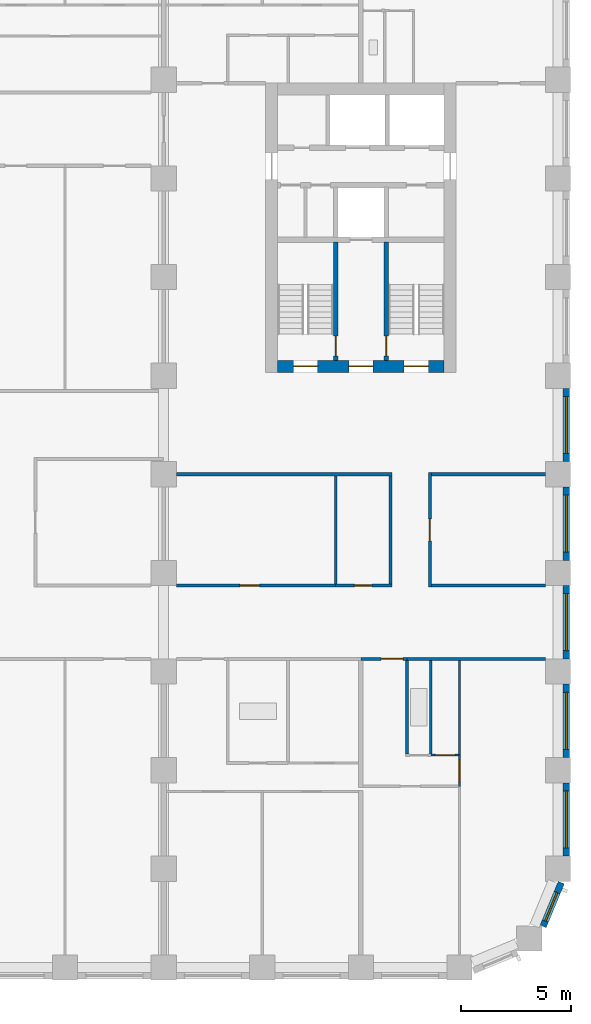
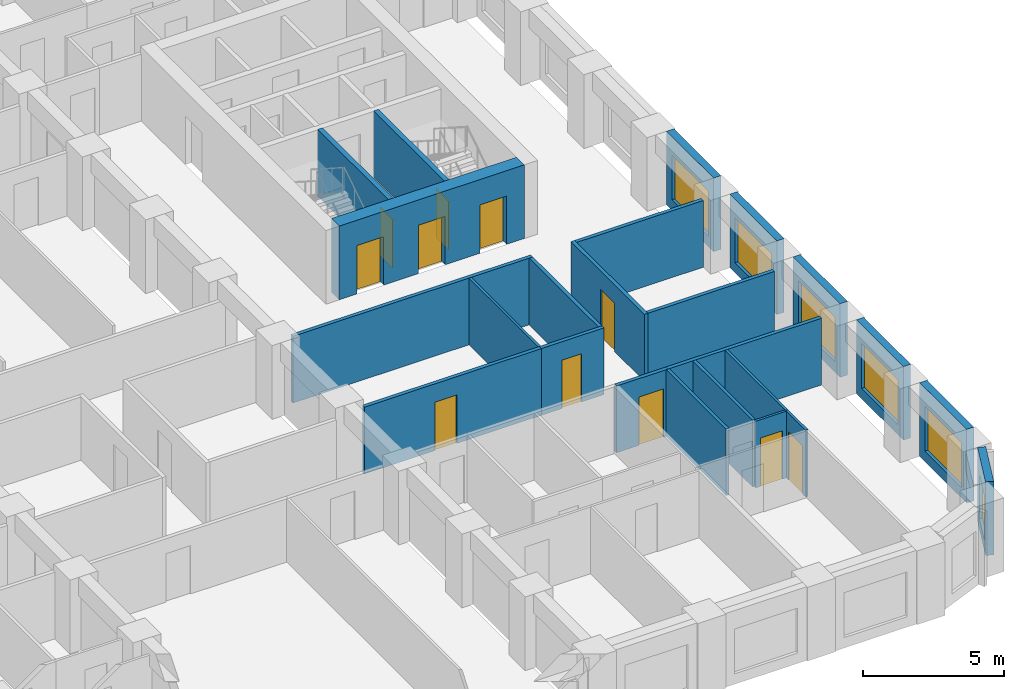
# One storey, part 5 of 13: 24 walls, 11 doors, 6 windows, 17 openings.
"""IFC4 building model written with IfcOpenShell, lengths in metres."""

import ifcopenshell
import ifcopenshell.guid

model = None  # the IFC model being written
_history = None  # IfcOwnerHistory: only IFC2X3 demands one
_inside = {}  # id of a spatial element -> (the spatial element, [elements in it])
_under = {}  # id of a project, library or spatial element -> (it, [spatial elements below it])
_declared = {}  # id of a project -> (the project, [libraries it declares])
_typed = {}  # id of a type object -> (the type object, [elements of that type])
_made_of = {}  # id of a material, layer set ... -> (it, [elements and type objects made of it])


def new_model(schema):
    """Start an empty IFC model of exactly this schema.

    Asked for "IFC4X3", IfcOpenShell would pick the latest addendum, in which some entities
    have other attributes; the version numbers below select the first issue.
    IFC2X3 requires an IfcOwnerHistory on every rooted entity: one is made here for all.
    """
    global model, _history
    if schema == "IFC4X3":
        model = ifcopenshell.file(schema_version=(4, 3, 0, 0))
    else:
        model = ifcopenshell.file(schema=schema)
    _inside.clear()
    _under.clear()
    _declared.clear()
    _typed.clear()
    _made_of.clear()
    _history = None
    if model.schema == "IFC2X3":
        org = make("IfcOrganization", Name="unknown")
        user = make(
            "IfcPersonAndOrganization",
            ThePerson=make("IfcPerson", FamilyName="unknown"),
            TheOrganization=org,
        )
        app = make(
            "IfcApplication",
            ApplicationDeveloper=org,
            Version="unknown",
            ApplicationFullName="unknown",
            ApplicationIdentifier="unknown",
        )
        _history = make(
            "IfcOwnerHistory",
            OwningUser=user,
            OwningApplication=app,
            ChangeAction="ADDED",
            CreationDate=0,
        )
    return model


def make(cls, **values):
    """One entity of the class cls with the attributes given. An attribute that is None is left unset."""
    return model.create_entity(
        cls, **{name: value for name, value in values.items() if value is not None}
    )


def rooted(cls, **values):
    """An entity with a GlobalId (a new one), such as an element, a storey or a relation."""
    return make(cls, GlobalId=ifcopenshell.guid.new(), OwnerHistory=_history, **values)


def si_unit(unit_type, name, prefix=None):
    """IfcSIUnit, for example si_unit("LENGTHUNIT", "METRE", prefix="MILLI")."""
    return make("IfcSIUnit", UnitType=unit_type, Prefix=prefix, Name=name)


def assignment(units):
    """IfcUnitAssignment: the units of a project."""
    return None if units is None else make("IfcUnitAssignment", Units=units)


def point(xyz):
    """IfcCartesianPoint."""
    return None if xyz is None else make("IfcCartesianPoint", Coordinates=xyz)


def direction(xyz):
    """IfcDirection."""
    return None if xyz is None else make("IfcDirection", DirectionRatios=xyz)


def frame(location, z_axis=None, x_axis=None):
    """IfcAxis2Placement3D, a coordinate frame: its origin and axes. An axis left out is left unset."""
    return make(
        "IfcAxis2Placement3D",
        Location=point(location),
        Axis=direction(z_axis),
        RefDirection=direction(x_axis),
    )


def frame_2d(location, x_axis=None):
    """IfcAxis2Placement2D, a coordinate frame in the plane: its origin and x axis."""
    return make(
        "IfcAxis2Placement2D", Location=point(location), RefDirection=direction(x_axis)
    )


def origin():
    """The frame at (0, 0, 0) with its axes left unset."""
    return frame((0.0, 0.0, 0.0))


def place(relative_to, where):
    """IfcLocalPlacement: puts the frame where relative to a parent placement (None: the world)."""
    return make(
        "IfcLocalPlacement", PlacementRelTo=relative_to, RelativePlacement=where
    )


def context(
    kind, dimensions, precision=None, world=None, true_north=None, identifier=None
):
    """IfcGeometricRepresentationContext, for example the 3D "Model" context."""
    return make(
        "IfcGeometricRepresentationContext",
        ContextIdentifier=identifier,
        ContextType=kind,
        CoordinateSpaceDimension=dimensions,
        Precision=precision,
        WorldCoordinateSystem=world,
        TrueNorth=true_north,
    )


def subcontext(parent, identifier, kind, view, scale=None):
    """IfcGeometricRepresentationSubContext, for example "Body" below "Model"."""
    return make(
        "IfcGeometricRepresentationSubContext",
        ContextIdentifier=identifier,
        ContextType=kind,
        ParentContext=parent,
        TargetScale=scale,
        TargetView=view,
    )


def project(units=None, contexts=None):
    """IfcProject with its units and contexts."""
    return rooted(
        "IfcProject",
        Name="project",
        RepresentationContexts=contexts,
        UnitsInContext=assignment(units),
    )


def spatial(cls, under=None, at=None, **own):
    """A site, building, storey or space (cls), placed at a placement, below another one or the project."""
    s = rooted(cls, ObjectPlacement=at, **own)
    if under is not None:
        _under.setdefault(under.id(), (under, []))[1].append(s)
    return s


def profile(cls, at=None, kind="AREA", **sizes):
    """A parametric profile (cls). Its sizes go by their IFC names, for example OverallWidth=200.0."""
    return make(cls, ProfileType=kind, Position=at, **sizes)


def rectangle(**sizes):
    """IfcRectangleProfileDef."""
    return profile("IfcRectangleProfileDef", **sizes)


def extrude(swept, where, along, depth):
    """IfcExtrudedAreaSolid: the profile swept, set in the frame where, extruded along a direction by depth."""
    return make(
        "IfcExtrudedAreaSolid",
        SweptArea=swept,
        Position=where,
        ExtrudedDirection=direction(along),
        Depth=depth,
    )


def shape(context_of_items, identifier, shape_type, items):
    """IfcShapeRepresentation: the items that make up one representation, for example the "Body"."""
    return make(
        "IfcShapeRepresentation",
        ContextOfItems=context_of_items,
        RepresentationIdentifier=identifier,
        RepresentationType=shape_type,
        Items=items,
    )


def material(Name=None, Category=None):
    """IfcMaterial."""
    return make("IfcMaterial", Name=Name, Category=Category)


def layer(
    of_material, thickness, ventilated=None, Name=None, Category=None, Priority=None
):
    """IfcMaterialLayer: one layer of a wall or slab, of a material (None: an air gap)."""
    return make(
        "IfcMaterialLayer",
        Material=of_material,
        LayerThickness=thickness,
        IsVentilated=ventilated,
        Name=Name,
        Category=Category,
        Priority=Priority,
    )


def layer_set(layers, Name=None):
    """IfcMaterialLayerSet."""
    return make("IfcMaterialLayerSet", MaterialLayers=layers, LayerSetName=Name)


def made_of(thing, what):
    """Note that an element or type object is made of a material, layer set ...; save() writes the relation."""
    if what is not None:
        _made_of.setdefault(what.id(), (what, []))[1].append(thing)
    return thing


def type_object(cls, material=None, **own):
    """A type object (cls), such as IfcWallType, which elements share."""
    return made_of(rooted(cls, **own), material)


def element(
    cls,
    number,
    at=None,
    inside=None,
    cuts=None,
    type_object=None,
    material=None,
    context=None,
    identifier="Body",
    shape_type=None,
    held_by="IfcProductDefinitionShape",
    body=None,
    shapes=None,
    **own,
):
    """One element of the class cls, such as IfcWall. Its Tag is "e" and its number.

    at: its placement. inside: the storey or other place that contains it. cuts: it is an
    opening in that element (IfcRelVoidsElement). A single representation is given by context,
    identifier, shape_type and body (its items); several are given by shapes. held_by: the class
    of the entity that holds the representations. save() writes the other relations.
    """
    e = rooted(cls, Tag="e%d" % number, ObjectPlacement=at, **own)
    if body is not None:
        shapes = [shape(context, identifier, shape_type, body)]
    if shapes is not None:
        e.Representation = make(held_by, Representations=shapes)
    if inside is not None:
        _inside.setdefault(inside.id(), (inside, []))[1].append(e)
    if cuts is not None:
        rooted(
            "IfcRelVoidsElement", RelatingBuildingElement=cuts, RelatedOpeningElement=e
        )
    if type_object is not None:
        _typed.setdefault(type_object.id(), (type_object, []))[1].append(e)
    return made_of(e, material)


def fill(opening, filler):
    """IfcRelFillsElement: the door or window that sits in an opening."""
    return rooted(
        "IfcRelFillsElement",
        RelatingOpeningElement=opening,
        RelatedBuildingElement=filler,
    )


def aggregate(whole, parts):
    """IfcRelAggregates: a whole, such as a stair, and the parts it consists of."""
    return rooted("IfcRelAggregates", RelatingObject=whole, RelatedObjects=parts)


def save(model, path):
    """Write the relations noted so far, then the file.

    IfcRelAggregates (storeys below a building ...), IfcRelContainedInSpatialStructure (elements
    in a storey), IfcRelDefinesByType, IfcRelAssociatesMaterial and IfcRelDeclares: one each for
    every whole, place, type object, material and project.
    """
    for whole, parts in _under.values():
        aggregate(whole, parts)
    for where, things in _inside.values():
        rooted(
            "IfcRelContainedInSpatialStructure",
            RelatedElements=things,
            RelatingStructure=where,
        )
    for kind, things in _typed.values():
        rooted("IfcRelDefinesByType", RelatedObjects=things, RelatingType=kind)
    for what, things in _made_of.values():
        rooted("IfcRelAssociatesMaterial", RelatedObjects=things, RelatingMaterial=what)
    for by, libraries in _declared.values():
        rooted("IfcRelDeclares", RelatingContext=by, RelatedDefinitions=libraries)
    model.write(path)


model = new_model("IFC4")

# Units and contexts
model_context = context("Model", 3, precision=1e-05, world=origin(), true_north=direction((0.0, 1.0)))
body_context = subcontext(model_context, "Body", "Model", "MODEL_VIEW")
ifc_project = project(units=[si_unit("LENGTHUNIT", "METRE"), si_unit("AREAUNIT", "SQUARE_METRE"), si_unit("VOLUMEUNIT", "CUBIC_METRE"), si_unit("PLANEANGLEUNIT", "RADIAN"), si_unit("MASSUNIT", "GRAM", prefix="KILO")], contexts=[model_context])

# Site, building, storey
site_placement = place(None, origin())
site = spatial("IfcSite", under=ifc_project, at=site_placement, CompositionType="ELEMENT")
building_placement = place(site_placement, origin())
building = spatial("IfcBuilding", under=site, at=building_placement, Name="Girih Gate Residences", CompositionType="ELEMENT")
storey_placement = place(building_placement, frame((0.0, 0.0, 89.60009765625)))
storey = spatial("IfcBuildingStorey", under=building, at=storey_placement, Name="L24", CompositionType="ELEMENT", Elevation=89.60009765625)

# Wall
ifc_material_1 = material(Name="Gypsum board on steel studs", Category="steel")
ifc_layer_1 = layer(ifc_material_1, 0.14990234375)
ifc_layer_set_1 = layer_set([ifc_layer_1], Name="Compartment wall 150 mm")
wall_type_1 = type_object("IfcWallType", Name="Compartment wall 150 mm", PredefinedType="PARTITIONING", material=ifc_layer_set_1)
wall_1_placement = place(storey_placement, frame((42.60009765625, 14.074951171875, 0.0), z_axis=(0.0, 0.0, 1.0), x_axis=(1.0, 0.0, 0.0)))
element("IfcWall", 1, at=wall_1_placement, inside=storey, type_object=wall_type_1, Name="L24 partition", PredefinedType="PARTITIONING", context=body_context, shape_type="SweptSolid", body=[
    extrude(rectangle(XDim=6.324951171875, YDim=0.14990234375, at=frame_2d((3.16259765625, 0.0))), origin(), (0.0, 0.0, 1.0), 2.89990234375),
])

# Wall, opening, door
wall_2_placement = place(storey_placement, frame((42.60009765625, 14.074951171875, 0.0), z_axis=(0.0, 0.0, 1.0), x_axis=(-1.0, 0.0, 0.0)))
wall_2 = element("IfcWall", 2, at=wall_2_placement, inside=storey, type_object=wall_type_1, Name="L24 partition", PredefinedType="PARTITIONING", context=body_context, shape_type="SweptSolid", body=[
    extrude(rectangle(XDim=2.10009765625, YDim=0.14990234375, at=frame_2d((1.050048828125, 0.0))), origin(), (0.0, 0.0, 1.0), 2.89990234375),
])
opening_1_placement = place(wall_2_placement, frame((0.175048828125, 0.0, 0.0)))
opening_1 = element("IfcOpeningElement", 3, at=opening_1_placement, cuts=wall_2, Name="Opening A24-019", PredefinedType="OPENING", context=body_context, shape_type="SweptSolid", body=[
    extrude(rectangle(XDim=1.0, YDim=2.10009765625, at=frame_2d((0.5, 1.050048828125))), frame((0.0, 0.0849609375, 0.0), z_axis=(0.0, -1.0, 0.0), x_axis=(1.0, 0.0, 0.0)), (0.0, 0.0, 1.0), 0.169921875),
])
ifc_material_2 = material(Name="Timber, fire-rated core", Category="wood")
door_type_1 = type_object("IfcDoorType", Name="Flat entrance door 1000x2100 FD30S", OperationType="NOTDEFINED", PredefinedType="DOOR", material=ifc_material_2)
door_1_placement = place(opening_1_placement, origin())
door_1 = element("IfcDoor", 4, at=door_1_placement, inside=storey, type_object=door_type_1, Name="Door A24-019", OperationType="SINGLE_SWING_LEFT", OverallHeight=2.10009765625, OverallWidth=1.0, PredefinedType="DOOR", context=body_context, shape_type="SweptSolid", body=[
    extrude(rectangle(XDim=1.0, YDim=2.10009765625, at=frame_2d((0.5, 1.050048828125))), frame((0.0, 0.02490234375, 0.0), z_axis=(0.0, -1.0, 0.0), x_axis=(1.0, 0.0, 0.0)), (0.0, 0.0, 1.0), 0.050048828125),
])
fill(opening_1, door_1)

wall_3_placement = place(storey_placement, frame((32.074951171875, 17.425048828125, 0.0), z_axis=(0.0, 0.0, 1.0), x_axis=(1.0, 0.0, 0.0)))
wall_3 = element("IfcWall", 5, at=wall_3_placement, inside=storey, type_object=wall_type_1, Name="L24 partition", PredefinedType="PARTITIONING", context=body_context, shape_type="SweptSolid", body=[
    extrude(rectangle(XDim=7.275146484375, YDim=0.14990234375, at=frame_2d((3.6376953125, 0.0))), origin(), (0.0, 0.0, 1.0), 2.89990234375),
])
opening_2_placement = place(wall_3_placement, frame((2.89990234375, 0.0, 0.0)))
opening_2 = element("IfcOpeningElement", 6, at=opening_2_placement, cuts=wall_3, Name="Opening A24-050", PredefinedType="OPENING", context=body_context, shape_type="SweptSolid", body=[
    extrude(rectangle(XDim=0.89990234375, YDim=2.10009765625, at=frame_2d((0.449951171875, 1.050048828125))), frame((0.0, 0.0849609375, 0.0), z_axis=(0.0, -1.0, 0.0), x_axis=(1.0, 0.0, 0.0)), (0.0, 0.0, 1.0), 0.169921875),
])
ifc_material_3 = material(Name="Timber", Category="wood")
door_type_2 = type_object("IfcDoorType", Name="Service room door 900x2100", OperationType="NOTDEFINED", PredefinedType="DOOR", material=ifc_material_3)
door_2_placement = place(opening_2_placement, origin())
door_2 = element("IfcDoor", 7, at=door_2_placement, inside=storey, type_object=door_type_2, Name="Door A24-050", OperationType="SINGLE_SWING_LEFT", OverallHeight=2.10009765625, OverallWidth=0.89990234375, PredefinedType="DOOR", context=body_context, shape_type="SweptSolid", body=[
    extrude(rectangle(XDim=0.89990234375, YDim=2.10009765625, at=frame_2d((0.449951171875, 1.050048828125))), frame((0.0, 0.02490234375, 0.0), z_axis=(0.0, -1.0, 0.0), x_axis=(1.0, 0.0, 0.0)), (0.0, 0.0, 1.0), 0.050048828125),
])
fill(opening_2, door_2)

wall_4_placement = place(storey_placement, frame((39.35009765625, 17.425048828125, 0.0), z_axis=(0.0, 0.0, 1.0), x_axis=(1.0, 0.0, 0.0)))
wall_4 = element("IfcWall", 8, at=wall_4_placement, inside=storey, type_object=wall_type_1, Name="L24 partition", PredefinedType="PARTITIONING", context=body_context, shape_type="SweptSolid", body=[
    extrude(rectangle(XDim=2.574951171875, YDim=0.14990234375, at=frame_2d((1.28759765625, 0.0))), origin(), (0.0, 0.0, 1.0), 2.89990234375),
])
opening_3_placement = place(wall_4_placement, frame((0.85009765625, 0.0, 0.0)))
opening_3 = element("IfcOpeningElement", 9, at=opening_3_placement, cuts=wall_4, Name="Opening A24-052", PredefinedType="OPENING", context=body_context, shape_type="SweptSolid", body=[
    extrude(rectangle(XDim=0.800048828125, YDim=2.10009765625, at=frame_2d((0.39990234375, 1.050048828125))), frame((0.0, 0.0849609375, 0.0), z_axis=(0.0, -1.0, 0.0), x_axis=(1.0, 0.0, 0.0)), (0.0, 0.0, 1.0), 0.169921875),
])
door_type_3 = type_object("IfcDoorType", Name="Bathroom door 800x2100", OperationType="NOTDEFINED", PredefinedType="DOOR", material=ifc_material_3)
door_3_placement = place(opening_3_placement, origin())
door_3 = element("IfcDoor", 10, at=door_3_placement, inside=storey, type_object=door_type_3, Name="Door A24-052", OperationType="SINGLE_SWING_LEFT", OverallHeight=2.10009765625, OverallWidth=0.800048828125, PredefinedType="DOOR", context=body_context, shape_type="SweptSolid", body=[
    extrude(rectangle(XDim=0.800048828125, YDim=2.10009765625, at=frame_2d((0.39990234375, 1.050048828125))), frame((0.0, 0.02490234375, 0.0), z_axis=(0.0, -1.0, 0.0), x_axis=(1.0, 0.0, 0.0)), (0.0, 0.0, 1.0), 0.050048828125),
])
fill(opening_3, door_3)

# Walls
wall_5_placement = place(storey_placement, frame((43.72509765625, 17.425048828125, 0.0), z_axis=(0.0, 0.0, 1.0), x_axis=(1.0, 0.0, 0.0)))
element("IfcWall", 11, at=wall_5_placement, inside=storey, type_object=wall_type_1, Name="L24 partition", PredefinedType="PARTITIONING", context=body_context, shape_type="SweptSolid", body=[
    extrude(rectangle(XDim=5.199951171875, YDim=0.14990234375, at=frame_2d((2.60009765625, 0.0))), origin(), (0.0, 0.0, 1.0), 2.89990234375),
])
wall_6_placement = place(storey_placement, frame((32.074951171875, 22.5, 0.0), z_axis=(0.0, 0.0, 1.0), x_axis=(1.0, 0.0, 0.0)))
element("IfcWall", 12, at=wall_6_placement, inside=storey, type_object=wall_type_1, Name="L24 partition", PredefinedType="PARTITIONING", context=body_context, shape_type="SweptSolid", body=[
    extrude(rectangle(XDim=9.85009765625, YDim=0.14990234375, at=frame_2d((4.925048828125, 0.0))), origin(), (0.0, 0.0, 1.0), 2.89990234375),
])
wall_7_placement = place(storey_placement, frame((43.72509765625, 22.5, 0.0), z_axis=(0.0, 0.0, 1.0), x_axis=(1.0, 0.0, 0.0)))
element("IfcWall", 13, at=wall_7_placement, inside=storey, type_object=wall_type_1, Name="L24 partition", PredefinedType="PARTITIONING", context=body_context, shape_type="SweptSolid", body=[
    extrude(rectangle(XDim=5.199951171875, YDim=0.14990234375, at=frame_2d((2.60009765625, 0.0))), origin(), (0.0, 0.0, 1.0), 2.89990234375),
])
wall_8_placement = place(storey_placement, frame((41.85009765625, 17.5, 0.0), z_axis=(0.0, 0.0, 1.0), x_axis=(0.0, 1.0, 0.0)))
element("IfcWall", 14, at=wall_8_placement, inside=storey, type_object=wall_type_1, Name="L24 partition", PredefinedType="PARTITIONING", context=body_context, shape_type="SweptSolid", body=[
    extrude(rectangle(XDim=4.925048828125, YDim=0.14990234375, at=frame_2d((2.46240234375, 0.0))), origin(), (0.0, 0.0, 1.0), 2.89990234375),
])

# Wall, opening, door
wall_9_placement = place(storey_placement, frame((43.64990234375, 22.574951171875, 0.0), z_axis=(0.0, 0.0, 1.0), x_axis=(0.0, -1.0, 0.0)))
wall_9 = element("IfcWall", 15, at=wall_9_placement, inside=storey, type_object=wall_type_1, Name="L24 partition", PredefinedType="PARTITIONING", context=body_context, shape_type="SweptSolid", body=[
    extrude(rectangle(XDim=5.224853515625, YDim=0.14990234375, at=frame_2d((2.6123046875, 0.0))), origin(), (0.0, 0.0, 1.0), 2.89990234375),
])
opening_4_placement = place(wall_9_placement, frame((2.112548828125, 0.0, 0.0)))
opening_4 = element("IfcOpeningElement", 16, at=opening_4_placement, cuts=wall_9, Name="Opening A24-054", PredefinedType="OPENING", context=body_context, shape_type="SweptSolid", body=[
    extrude(rectangle(XDim=1.0, YDim=2.10009765625, at=frame_2d((0.5, 1.050048828125))), frame((0.0, 0.0849609375, 0.0), z_axis=(0.0, -1.0, 0.0), x_axis=(1.0, 0.0, 0.0)), (0.0, 0.0, 1.0), 0.169921875),
])
door_type_4 = type_object("IfcDoorType", Name="Amenity room door 1000x2100 FD30S", OperationType="NOTDEFINED", PredefinedType="DOOR", material=ifc_material_2)
door_4_placement = place(opening_4_placement, origin())
door_4 = element("IfcDoor", 17, at=door_4_placement, inside=storey, type_object=door_type_4, Name="Door A24-054", OperationType="SINGLE_SWING_RIGHT", OverallHeight=2.10009765625, OverallWidth=1.0, PredefinedType="DOOR", context=body_context, shape_type="SweptSolid", body=[
    extrude(rectangle(XDim=1.0, YDim=2.10009765625, at=frame_2d((0.5, 1.050048828125))), frame((0.0, 0.02490234375, 0.0), z_axis=(0.0, -1.0, 0.0), x_axis=(1.0, 0.0, 0.0)), (0.0, 0.0, 1.0), 0.050048828125),
])
fill(opening_4, door_4)

# Wall, openings, doors
ifc_material_4 = material(Name="Concrete C60/75", Category="concrete")
ifc_layer_2 = layer(ifc_material_4, 0.550048828125)
ifc_layer_set_2 = layer_set([ifc_layer_2], Name="Core wall RC 550 Concrete C60/75")
wall_type_2 = type_object("IfcWallType", Name="Core wall RC 550 Concrete C60/75", PredefinedType="SOLIDWALL", material=ifc_layer_set_2)
wall_10_placement = place(storey_placement, frame((36.699951171875, 27.425048828125, 0.0), z_axis=(0.0, 0.0, 1.0), x_axis=(1.0, 0.0, 0.0)))
wall_10 = element("IfcWall", 18, at=wall_10_placement, inside=storey, type_object=wall_type_2, Name="Core wall E-S L24", PredefinedType="SOLIDWALL", context=body_context, shape_type="SweptSolid", body=[
    extrude(rectangle(XDim=7.60009765625, YDim=0.550048828125, at=frame_2d((3.800048828125, 0.0))), origin(), (0.0, 0.0, 1.0), 3.199951171875),
])
opening_5_placement = place(wall_10_placement, frame((5.77490234375, 0.0, 0.0)))
opening_5 = element("IfcOpeningElement", 19, at=opening_5_placement, cuts=wall_10, Name="Opening D-L24-E-010", PredefinedType="OPENING", context=body_context, shape_type="SweptSolid", body=[
    extrude(rectangle(XDim=1.10009765625, YDim=2.10009765625, at=frame_2d((0.550048828125, 1.050048828125))), frame((0.0, 0.284912109375, 0.0), z_axis=(0.0, -1.0, 0.0), x_axis=(1.0, 0.0, 0.0)), (0.0, 0.0, 1.0), 0.570068359375),
])
opening_6_placement = place(wall_10_placement, frame((3.25, 0.0, 0.0)))
opening_6 = element("IfcOpeningElement", 20, at=opening_6_placement, cuts=wall_10, Name="Opening D-L24-E-011", PredefinedType="OPENING", context=body_context, shape_type="SweptSolid", body=[
    extrude(rectangle(XDim=1.10009765625, YDim=2.10009765625, at=frame_2d((0.550048828125, 1.050048828125))), frame((0.0, 0.284912109375, 0.0), z_axis=(0.0, -1.0, 0.0), x_axis=(1.0, 0.0, 0.0)), (0.0, 0.0, 1.0), 0.570068359375),
])
opening_7_placement = place(wall_10_placement, frame((0.72509765625, 0.0, 0.0)))
opening_7 = element("IfcOpeningElement", 21, at=opening_7_placement, cuts=wall_10, Name="Opening D-L24-E-012", PredefinedType="OPENING", context=body_context, shape_type="SweptSolid", body=[
    extrude(rectangle(XDim=1.10009765625, YDim=2.10009765625, at=frame_2d((0.550048828125, 1.050048828125))), frame((0.0, 0.284912109375, 0.0), z_axis=(0.0, -1.0, 0.0), x_axis=(1.0, 0.0, 0.0)), (0.0, 0.0, 1.0), 0.570068359375),
])
ifc_material_5 = material(Name="Painted steel, fire-resisting", Category="steel")
door_type_5 = type_object("IfcDoorType", Name="Fire door 1100x2100", OperationType="SINGLE_SWING_LEFT", PredefinedType="DOOR", material=ifc_material_5)
door_5_placement = place(opening_5_placement, origin())
door_5 = element("IfcDoor", 22, at=door_5_placement, inside=storey, type_object=door_type_5, Name="L24 E core door sta-out", OperationType="SINGLE_SWING_LEFT", OverallHeight=2.10009765625, OverallWidth=1.10009765625, PredefinedType="DOOR", context=body_context, shape_type="SweptSolid", body=[
    extrude(rectangle(XDim=1.10009765625, YDim=2.10009765625, at=frame_2d((0.550048828125, 1.050048828125))), frame((0.0, 0.02490234375, 0.0), z_axis=(0.0, -1.0, 0.0), x_axis=(1.0, 0.0, 0.0)), (0.0, 0.0, 1.0), 0.050048828125),
])
fill(opening_5, door_5)
door_6_placement = place(opening_6_placement, origin())
door_6 = element("IfcDoor", 23, at=door_6_placement, inside=storey, type_object=door_type_5, Name="L24 E core door ffl-out", OperationType="SINGLE_SWING_LEFT", OverallHeight=2.10009765625, OverallWidth=1.10009765625, PredefinedType="DOOR", context=body_context, shape_type="SweptSolid", body=[
    extrude(rectangle(XDim=1.10009765625, YDim=2.10009765625, at=frame_2d((0.550048828125, 1.050048828125))), frame((0.0, 0.02490234375, 0.0), z_axis=(0.0, -1.0, 0.0), x_axis=(1.0, 0.0, 0.0)), (0.0, 0.0, 1.0), 0.050048828125),
])
fill(opening_6, door_6)
door_7_placement = place(opening_7_placement, origin())
door_7 = element("IfcDoor", 24, at=door_7_placement, inside=storey, type_object=door_type_5, Name="L24 E core door stb-out", OperationType="SINGLE_SWING_LEFT", OverallHeight=2.10009765625, OverallWidth=1.10009765625, PredefinedType="DOOR", context=body_context, shape_type="SweptSolid", body=[
    extrude(rectangle(XDim=1.10009765625, YDim=2.10009765625, at=frame_2d((0.550048828125, 1.050048828125))), frame((0.0, 0.02490234375, 0.0), z_axis=(0.0, -1.0, 0.0), x_axis=(1.0, 0.0, 0.0)), (0.0, 0.0, 1.0), 0.050048828125),
])
fill(opening_7, door_7)

# Wall, opening, door
ifc_layer_3 = layer(ifc_material_1, 0.10009765625)
ifc_layer_set_3 = layer_set([ifc_layer_3], Name="Partition 100 mm")
wall_type_3 = type_object("IfcWallType", Name="Partition 100 mm", PredefinedType="PARTITIONING", material=ifc_layer_set_3)
wall_11_placement = place(storey_placement, frame((43.69091796875, 9.68505859375, 0.0), z_axis=(0.0, 0.0, 1.0), x_axis=(1.0, 0.0, 0.0)))
wall_11 = element("IfcWall", 25, at=wall_11_placement, inside=storey, type_object=wall_type_3, Name="L24 partition", PredefinedType="PARTITIONING", context=body_context, shape_type="SweptSolid", body=[
    extrude(rectangle(XDim=1.259033203125, YDim=0.10009765625, at=frame_2d((0.62939453125, 0.0))), origin(), (0.0, 0.0, 1.0), 2.89990234375),
])
opening_8_placement = place(wall_11_placement, frame((0.20458984375, 0.0, 0.0)))
opening_8 = element("IfcOpeningElement", 26, at=opening_8_placement, cuts=wall_11, Name="Opening A24-017", PredefinedType="OPENING", context=body_context, shape_type="SweptSolid", body=[
    extrude(rectangle(XDim=0.89990234375, YDim=2.10009765625, at=frame_2d((0.449951171875, 1.050048828125))), frame((0.0, 0.06005859375, 0.0), z_axis=(0.0, -1.0, 0.0), x_axis=(1.0, 0.0, 0.0)), (0.0, 0.0, 1.0), 0.1201171875),
])
door_type_6 = type_object("IfcDoorType", Name="Kitchen door 900x2100", OperationType="NOTDEFINED", PredefinedType="DOOR", material=ifc_material_3)
door_8_placement = place(opening_8_placement, origin())
door_8 = element("IfcDoor", 27, at=door_8_placement, inside=storey, type_object=door_type_6, Name="Door A24-017", OperationType="SINGLE_SWING_RIGHT", OverallHeight=2.10009765625, OverallWidth=0.89990234375, PredefinedType="DOOR", context=body_context, shape_type="SweptSolid", body=[
    extrude(rectangle(XDim=0.89990234375, YDim=2.10009765625, at=frame_2d((0.449951171875, 1.050048828125))), frame((0.0, 0.02490234375, 0.0), z_axis=(0.0, -1.0, 0.0), x_axis=(1.0, 0.0, 0.0)), (0.0, 0.0, 1.0), 0.050048828125),
])
fill(opening_8, door_8)

wall_12_placement = place(storey_placement, frame((45.0, 9.68505859375, 0.0), z_axis=(0.0, 0.0, 1.0), x_axis=(0.0, -1.0, 0.0)))
wall_12 = element("IfcWall", 28, at=wall_12_placement, inside=storey, type_object=wall_type_3, Name="L24 partition", PredefinedType="PARTITIONING", context=body_context, shape_type="SweptSolid", body=[
    extrude(rectangle(XDim=1.420166015625, YDim=0.10009765625, at=frame_2d((0.7099609375, 0.0))), origin(), (0.0, 0.0, 1.0), 2.89990234375),
])
opening_9_placement = place(wall_12_placement, frame((0.2099609375, 0.0, 0.0)))
opening_9 = element("IfcOpeningElement", 29, at=opening_9_placement, cuts=wall_12, Name="Opening A24-018", PredefinedType="OPENING", context=body_context, shape_type="SweptSolid", body=[
    extrude(rectangle(XDim=1.0, YDim=2.10009765625, at=frame_2d((0.5, 1.050048828125))), frame((0.0, 0.06005859375, 0.0), z_axis=(0.0, -1.0, 0.0), x_axis=(1.0, 0.0, 0.0)), (0.0, 0.0, 1.0), 0.1201171875),
])
door_type_7 = type_object("IfcDoorType", Name="Living room door 1000x2100", OperationType="NOTDEFINED", PredefinedType="DOOR", material=ifc_material_3)
door_9_placement = place(opening_9_placement, origin())
door_9 = element("IfcDoor", 30, at=door_9_placement, inside=storey, type_object=door_type_7, Name="Door A24-018", OperationType="SINGLE_SWING_RIGHT", OverallHeight=2.10009765625, OverallWidth=1.0, PredefinedType="DOOR", context=body_context, shape_type="SweptSolid", body=[
    extrude(rectangle(XDim=1.0, YDim=2.10009765625, at=frame_2d((0.5, 1.050048828125))), frame((0.0, 0.02490234375, 0.0), z_axis=(0.0, -1.0, 0.0), x_axis=(1.0, 0.0, 0.0)), (0.0, 0.0, 1.0), 0.050048828125),
])
fill(opening_9, door_9)

# Walls
wall_13_placement = place(storey_placement, frame((45.0, 9.68505859375, 0.0), z_axis=(0.0, 0.0, 1.0), x_axis=(0.0, 1.0, 0.0)))
element("IfcWall", 31, at=wall_13_placement, inside=storey, type_object=wall_type_3, Name="L24 partition", PredefinedType="PARTITIONING", context=body_context, shape_type="SweptSolid", body=[
    extrude(rectangle(XDim=4.31494140625, YDim=0.10009765625, at=frame_2d((2.157470703125, 0.0))), origin(), (0.0, 0.0, 1.0), 2.89990234375),
])
wall_14_placement = place(storey_placement, frame((39.35009765625, 17.5, 0.0), z_axis=(0.0, 0.0, 1.0), x_axis=(0.0, 1.0, 0.0)))
element("IfcWall", 32, at=wall_14_placement, inside=storey, type_object=wall_type_3, Name="L24 partition", PredefinedType="PARTITIONING", context=body_context, shape_type="SweptSolid", body=[
    extrude(rectangle(XDim=4.925048828125, YDim=0.10009765625, at=frame_2d((2.46240234375, 0.0))), origin(), (0.0, 0.0, 1.0), 2.89990234375),
])

# Wall, opening, window
ifc_material_6 = material(Name="Precast concrete C50/60", Category="concrete")
ifc_layer_4 = layer(ifc_material_6, 0.080078125, Name="Outer leaf")
ifc_material_7 = material(Name="Rigid PIR insulation")
ifc_layer_5 = layer(ifc_material_7, 0.14990234375, Name="Insulation")
ifc_material_8 = material(Name="Precast concrete C40/50", Category="concrete")
ifc_layer_6 = layer(ifc_material_8, 0.070068359375, Name="Inner leaf")
ifc_layer_set_4 = layer_set([ifc_layer_4, ifc_layer_5, ifc_layer_6], Name="Precast concrete C50/60 external wall 300")
wall_type_4 = type_object("IfcWallType", Name="Precast concrete C50/60 external wall 300", PredefinedType="SOLIDWALL", material=ifc_layer_set_4)
wall_15_placement = place(storey_placement, frame((49.64404296875, 3.86767578125, 0.0), z_axis=(0.0, 0.0, 1.0), x_axis=(-0.382723818695, -0.923862802911, 0.0)))
wall_15 = element("IfcWall", 33, at=wall_15_placement, inside=storey, type_object=wall_type_4, Name="External wall SE0482_0013.0", PredefinedType="SOLIDWALL", context=body_context, shape_type="SweptSolid", body=[
    extrude(rectangle(XDim=2.163818359375, YDim=0.300048828125, at=frame_2d((1.08203125, 0.0))), origin(), (0.0, 0.0, 1.0), 3.199951171875),
])
opening_10_placement = place(wall_15_placement, frame((0.492919921875, 0.0, 0.449951171875)))
opening_10 = element("IfcOpeningElement", 34, at=opening_10_placement, cuts=wall_15, Name="Opening W-2D", PredefinedType="OPENING", context=body_context, shape_type="SweptSolid", body=[
    extrude(rectangle(XDim=1.39990234375, YDim=1.949951171875, at=frame_2d((0.699951171875, 0.97509765625))), frame((0.0, 0.159912109375, 0.0), z_axis=(0.0, -1.0, 0.0), x_axis=(1.0, 0.0, 0.0)), (0.0, 0.0, 1.0), 0.320068359375),
])
ifc_material_9 = material(Name="Double glazing in aluminium frame", Category="aluminium")
window_type_1 = type_object("IfcWindowType", Name="Window W-2D 1400x1950", PartitioningType="SINGLE_PANEL", PredefinedType="WINDOW", material=ifc_material_9)
window_1_placement = place(opening_10_placement, origin())
window_1 = element("IfcWindow", 35, at=window_1_placement, inside=storey, type_object=window_type_1, Name="Window W-2D SE0482_0013.0", OverallHeight=1.949951171875, OverallWidth=1.39990234375, PartitioningType="SINGLE_PANEL", PredefinedType="WINDOW", context=body_context, shape_type="SweptSolid", body=[
    extrude(rectangle(XDim=1.39990234375, YDim=1.949951171875, at=frame_2d((0.699951171875, 0.97509765625))), frame((0.0, 0.030029296875, 0.0), z_axis=(0.0, -1.0, 0.0), x_axis=(1.0, 0.0, 0.0)), (0.0, 0.0, 1.0), 0.06005859375),
])
fill(opening_10, window_1)

wall_16_placement = place(storey_placement, frame((49.875, 8.425048828125, 0.0), z_axis=(0.0, 0.0, 1.0), x_axis=(0.0, -1.0, 0.0)))
wall_16 = element("IfcWall", 36, at=wall_16_placement, inside=storey, type_object=wall_type_4, Name="External wall E0495_0045.0", PredefinedType="SOLIDWALL", context=body_context, shape_type="SweptSolid", body=[
    extrude(rectangle(XDim=3.35009765625, YDim=0.300048828125, at=frame_2d((1.675048828125, 0.0))), origin(), (0.0, 0.0, 1.0), 3.199951171875),
])
opening_11_placement = place(wall_16_placement, frame((0.375, 0.0, 0.449951171875)))
opening_11 = element("IfcOpeningElement", 37, at=opening_11_placement, cuts=wall_16, Name="Opening W-1A", PredefinedType="OPENING", context=body_context, shape_type="SweptSolid", body=[
    extrude(rectangle(XDim=2.60009765625, YDim=1.949951171875, at=frame_2d((1.300048828125, 0.97509765625))), frame((0.0, 0.159912109375, 0.0), z_axis=(0.0, -1.0, 0.0), x_axis=(1.0, 0.0, 0.0)), (0.0, 0.0, 1.0), 0.320068359375),
])
window_type_2 = type_object("IfcWindowType", Name="Window W-1A 2600x1950", PartitioningType="SINGLE_PANEL", PredefinedType="WINDOW", material=ifc_material_9)
window_2_placement = place(opening_11_placement, origin())
window_2 = element("IfcWindow", 38, at=window_2_placement, inside=storey, type_object=window_type_2, Name="Window W-1A E0495_0045.0", OverallHeight=1.949951171875, OverallWidth=2.60009765625, PartitioningType="SINGLE_PANEL", PredefinedType="WINDOW", context=body_context, shape_type="SweptSolid", body=[
    extrude(rectangle(XDim=2.60009765625, YDim=1.949951171875, at=frame_2d((1.300048828125, 0.97509765625))), frame((0.0, 0.030029296875, 0.0), z_axis=(0.0, -1.0, 0.0), x_axis=(1.0, 0.0, 0.0)), (0.0, 0.0, 1.0), 0.06005859375),
])
fill(opening_11, window_2)

wall_17_placement = place(storey_placement, frame((49.875, 12.925048828125, 0.0), z_axis=(0.0, 0.0, 1.0), x_axis=(0.0, -1.0, 0.0)))
wall_17 = element("IfcWall", 39, at=wall_17_placement, inside=storey, type_object=wall_type_4, Name="External wall E0495_0045.1", PredefinedType="SOLIDWALL", context=body_context, shape_type="SweptSolid", body=[
    extrude(rectangle(XDim=3.35009765625, YDim=0.300048828125, at=frame_2d((1.675048828125, 0.0))), origin(), (0.0, 0.0, 1.0), 3.199951171875),
])
opening_12_placement = place(wall_17_placement, frame((0.375, 0.0, 0.449951171875)))
opening_12 = element("IfcOpeningElement", 40, at=opening_12_placement, cuts=wall_17, Name="Opening W-1A", PredefinedType="OPENING", context=body_context, shape_type="SweptSolid", body=[
    extrude(rectangle(XDim=2.60009765625, YDim=1.949951171875, at=frame_2d((1.300048828125, 0.97509765625))), frame((0.0, 0.159912109375, 0.0), z_axis=(0.0, -1.0, 0.0), x_axis=(1.0, 0.0, 0.0)), (0.0, 0.0, 1.0), 0.320068359375),
])
window_3_placement = place(opening_12_placement, origin())
window_3 = element("IfcWindow", 41, at=window_3_placement, inside=storey, type_object=window_type_2, Name="Window W-1A E0495_0045.1", OverallHeight=1.949951171875, OverallWidth=2.60009765625, PartitioningType="SINGLE_PANEL", PredefinedType="WINDOW", context=body_context, shape_type="SweptSolid", body=[
    extrude(rectangle(XDim=2.60009765625, YDim=1.949951171875, at=frame_2d((1.300048828125, 0.97509765625))), frame((0.0, 0.030029296875, 0.0), z_axis=(0.0, -1.0, 0.0), x_axis=(1.0, 0.0, 0.0)), (0.0, 0.0, 1.0), 0.06005859375),
])
fill(opening_12, window_3)

wall_18_placement = place(storey_placement, frame((49.875, 17.425048828125, 0.0), z_axis=(0.0, 0.0, 1.0), x_axis=(0.0, -1.0, 0.0)))
wall_18 = element("IfcWall", 42, at=wall_18_placement, inside=storey, type_object=wall_type_4, Name="External wall E0495_0045.2", PredefinedType="SOLIDWALL", context=body_context, shape_type="SweptSolid", body=[
    extrude(rectangle(XDim=3.35009765625, YDim=0.300048828125, at=frame_2d((1.675048828125, 0.0))), origin(), (0.0, 0.0, 1.0), 3.199951171875),
])
opening_13_placement = place(wall_18_placement, frame((0.375, 0.0, 0.449951171875)))
opening_13 = element("IfcOpeningElement", 43, at=opening_13_placement, cuts=wall_18, Name="Opening W-1A", PredefinedType="OPENING", context=body_context, shape_type="SweptSolid", body=[
    extrude(rectangle(XDim=2.60009765625, YDim=1.949951171875, at=frame_2d((1.300048828125, 0.97509765625))), frame((0.0, 0.159912109375, 0.0), z_axis=(0.0, -1.0, 0.0), x_axis=(1.0, 0.0, 0.0)), (0.0, 0.0, 1.0), 0.320068359375),
])
window_4_placement = place(opening_13_placement, origin())
window_4 = element("IfcWindow", 44, at=window_4_placement, inside=storey, type_object=window_type_2, Name="Window W-1A E0495_0045.2", OverallHeight=1.949951171875, OverallWidth=2.60009765625, PartitioningType="SINGLE_PANEL", PredefinedType="WINDOW", context=body_context, shape_type="SweptSolid", body=[
    extrude(rectangle(XDim=2.60009765625, YDim=1.949951171875, at=frame_2d((1.300048828125, 0.97509765625))), frame((0.0, 0.030029296875, 0.0), z_axis=(0.0, -1.0, 0.0), x_axis=(1.0, 0.0, 0.0)), (0.0, 0.0, 1.0), 0.06005859375),
])
fill(opening_13, window_4)

wall_19_placement = place(storey_placement, frame((49.875, 21.925048828125, 0.0), z_axis=(0.0, 0.0, 1.0), x_axis=(0.0, -1.0, 0.0)))
wall_19 = element("IfcWall", 45, at=wall_19_placement, inside=storey, type_object=wall_type_4, Name="External wall E0495_0045.3", PredefinedType="SOLIDWALL", context=body_context, shape_type="SweptSolid", body=[
    extrude(rectangle(XDim=3.35009765625, YDim=0.300048828125, at=frame_2d((1.675048828125, 0.0))), origin(), (0.0, 0.0, 1.0), 3.199951171875),
])
opening_14_placement = place(wall_19_placement, frame((0.375, 0.0, 0.449951171875)))
opening_14 = element("IfcOpeningElement", 46, at=opening_14_placement, cuts=wall_19, Name="Opening W-1A", PredefinedType="OPENING", context=body_context, shape_type="SweptSolid", body=[
    extrude(rectangle(XDim=2.60009765625, YDim=1.949951171875, at=frame_2d((1.300048828125, 0.97509765625))), frame((0.0, 0.159912109375, 0.0), z_axis=(0.0, -1.0, 0.0), x_axis=(1.0, 0.0, 0.0)), (0.0, 0.0, 1.0), 0.320068359375),
])
window_5_placement = place(opening_14_placement, origin())
window_5 = element("IfcWindow", 47, at=window_5_placement, inside=storey, type_object=window_type_2, Name="Window W-1A E0495_0045.3", OverallHeight=1.949951171875, OverallWidth=2.60009765625, PartitioningType="SINGLE_PANEL", PredefinedType="WINDOW", context=body_context, shape_type="SweptSolid", body=[
    extrude(rectangle(XDim=2.60009765625, YDim=1.949951171875, at=frame_2d((1.300048828125, 0.97509765625))), frame((0.0, 0.030029296875, 0.0), z_axis=(0.0, -1.0, 0.0), x_axis=(1.0, 0.0, 0.0)), (0.0, 0.0, 1.0), 0.06005859375),
])
fill(opening_14, window_5)

wall_20_placement = place(storey_placement, frame((49.875, 26.425048828125, 0.0), z_axis=(0.0, 0.0, 1.0), x_axis=(0.0, -1.0, 0.0)))
wall_20 = element("IfcWall", 48, at=wall_20_placement, inside=storey, type_object=wall_type_4, Name="External wall E0495_0045.4", PredefinedType="SOLIDWALL", context=body_context, shape_type="SweptSolid", body=[
    extrude(rectangle(XDim=3.35009765625, YDim=0.300048828125, at=frame_2d((1.675048828125, 0.0))), origin(), (0.0, 0.0, 1.0), 3.199951171875),
])
opening_15_placement = place(wall_20_placement, frame((0.375, 0.0, 0.449951171875)))
opening_15 = element("IfcOpeningElement", 49, at=opening_15_placement, cuts=wall_20, Name="Opening W-1A", PredefinedType="OPENING", context=body_context, shape_type="SweptSolid", body=[
    extrude(rectangle(XDim=2.60009765625, YDim=1.949951171875, at=frame_2d((1.300048828125, 0.97509765625))), frame((0.0, 0.159912109375, 0.0), z_axis=(0.0, -1.0, 0.0), x_axis=(1.0, 0.0, 0.0)), (0.0, 0.0, 1.0), 0.320068359375),
])
window_6_placement = place(opening_15_placement, origin())
window_6 = element("IfcWindow", 50, at=window_6_placement, inside=storey, type_object=window_type_2, Name="Window W-1A E0495_0045.4", OverallHeight=1.949951171875, OverallWidth=2.60009765625, PartitioningType="SINGLE_PANEL", PredefinedType="WINDOW", context=body_context, shape_type="SweptSolid", body=[
    extrude(rectangle(XDim=2.60009765625, YDim=1.949951171875, at=frame_2d((1.300048828125, 0.97509765625))), frame((0.0, 0.030029296875, 0.0), z_axis=(0.0, -1.0, 0.0), x_axis=(1.0, 0.0, 0.0)), (0.0, 0.0, 1.0), 0.06005859375),
])
fill(opening_15, window_6)

# Wall, opening, door
ifc_material_10 = material(Name="Concrete C40/50", Category="concrete")
ifc_layer_7 = layer(ifc_material_10, 0.199951171875)
ifc_layer_set_5 = layer_set([ifc_layer_7], Name="Shaft wall 200")
wall_type_5 = type_object("IfcWallType", Name="Shaft wall 200", PredefinedType="SOLIDWALL", material=ifc_layer_set_5)
wall_21_placement = place(storey_placement, frame((41.64990234375, 27.699951171875, 0.0), z_axis=(0.0, 0.0, 1.0), x_axis=(0.0, 1.0, 0.0)))
wall_21 = element("IfcWall", 51, at=wall_21_placement, inside=storey, type_object=wall_type_5, Name="L24 E core wall V1a", PredefinedType="SOLIDWALL", context=body_context, shape_type="SweptSolid", body=[
    extrude(rectangle(XDim=5.400146484375, YDim=0.199951171875, at=frame_2d((2.7001953125, 0.0))), origin(), (0.0, 0.0, 1.0), 2.89990234375),
])
opening_16_placement = place(wall_21_placement, frame((0.199951171875, 0.0, 0.0)))
opening_16 = element("IfcOpeningElement", 52, at=opening_16_placement, cuts=wall_21, Name="Opening D-L24-E-001", PredefinedType="OPENING", context=body_context, shape_type="SweptSolid", body=[
    extrude(rectangle(XDim=0.89990234375, YDim=2.10009765625, at=frame_2d((0.449951171875, 1.050048828125))), frame((0.0, 0.10986328125, 0.0), z_axis=(0.0, -1.0, 0.0), x_axis=(1.0, 0.0, 0.0)), (0.0, 0.0, 1.0), 0.219970703125),
])
door_type_8 = type_object("IfcDoorType", Name="Fire door 900x2100", OperationType="SINGLE_SWING_LEFT", PredefinedType="DOOR", material=ifc_material_5)
door_10_placement = place(opening_16_placement, origin())
door_10 = element("IfcDoor", 53, at=door_10_placement, inside=storey, type_object=door_type_8, Name="L24 E door stair 1 to firefighting lobby", OperationType="SINGLE_SWING_LEFT", OverallHeight=2.10009765625, OverallWidth=0.89990234375, PredefinedType="DOOR", context=body_context, shape_type="SweptSolid", body=[
    extrude(rectangle(XDim=0.89990234375, YDim=2.10009765625, at=frame_2d((0.449951171875, 1.050048828125))), frame((0.0, 0.02490234375, 0.0), z_axis=(0.0, -1.0, 0.0), x_axis=(1.0, 0.0, 0.0)), (0.0, 0.0, 1.0), 0.050048828125),
])
fill(opening_16, door_10)

wall_22_placement = place(storey_placement, frame((39.35009765625, 27.699951171875, 0.0), z_axis=(0.0, 0.0, 1.0), x_axis=(0.0, 1.0, 0.0)))
wall_22 = element("IfcWall", 54, at=wall_22_placement, inside=storey, type_object=wall_type_5, Name="L24 E core wall V2a", PredefinedType="SOLIDWALL", context=body_context, shape_type="SweptSolid", body=[
    extrude(rectangle(XDim=5.400146484375, YDim=0.199951171875, at=frame_2d((2.7001953125, 0.0))), origin(), (0.0, 0.0, 1.0), 2.89990234375),
])
opening_17_placement = place(wall_22_placement, frame((0.199951171875, 0.0, 0.0)))
opening_17 = element("IfcOpeningElement", 55, at=opening_17_placement, cuts=wall_22, Name="Opening D-L24-E-002", PredefinedType="OPENING", context=body_context, shape_type="SweptSolid", body=[
    extrude(rectangle(XDim=0.89990234375, YDim=2.10009765625, at=frame_2d((0.449951171875, 1.050048828125))), frame((0.0, 0.10986328125, 0.0), z_axis=(0.0, -1.0, 0.0), x_axis=(1.0, 0.0, 0.0)), (0.0, 0.0, 1.0), 0.219970703125),
])
door_11_placement = place(opening_17_placement, origin())
door_11 = element("IfcDoor", 56, at=door_11_placement, inside=storey, type_object=door_type_8, Name="L24 E door stair 2 to firefighting lobby", OperationType="SINGLE_SWING_LEFT", OverallHeight=2.10009765625, OverallWidth=0.89990234375, PredefinedType="DOOR", context=body_context, shape_type="SweptSolid", body=[
    extrude(rectangle(XDim=0.89990234375, YDim=2.10009765625, at=frame_2d((0.449951171875, 1.050048828125))), frame((0.0, 0.02490234375, 0.0), z_axis=(0.0, -1.0, 0.0), x_axis=(1.0, 0.0, 0.0)), (0.0, 0.0, 1.0), 0.050048828125),
])
fill(opening_17, door_11)

# Walls
ifc_layer_8 = layer(ifc_material_1, 0.125)
ifc_layer_set_6 = layer_set([ifc_layer_8], Name="Wet room wall 125 mm")
wall_type_6 = type_object("IfcWallType", Name="Wet room wall 125 mm", PredefinedType="PARTITIONING", material=ifc_layer_set_6)
for number, where, z_axis, x_axis, name in (
    (57, (42.60009765625, 9.74755859375, 0.0), (0.0, 0.0, 1.0), (0.0, 1.0, 0.0), "L24 partition"),
    (58, (43.69091796875, 9.74755859375, 0.0), (0.0, 0.0, 1.0), (0.0, 1.0, 0.0), "L24 partition"),
):
    element("IfcWall", number, at=place(storey_placement, frame(where, z_axis=z_axis, x_axis=x_axis)), inside=storey, type_object=wall_type_6, Name=name, PredefinedType="PARTITIONING", context=body_context, shape_type="SweptSolid", body=[
        extrude(rectangle(XDim=4.25244140625, YDim=0.125, at=frame_2d((2.126220703125, 0.0))), origin(), (0.0, 0.0, 1.0), 2.89990234375),
    ])

save(model, "model.ifc")
